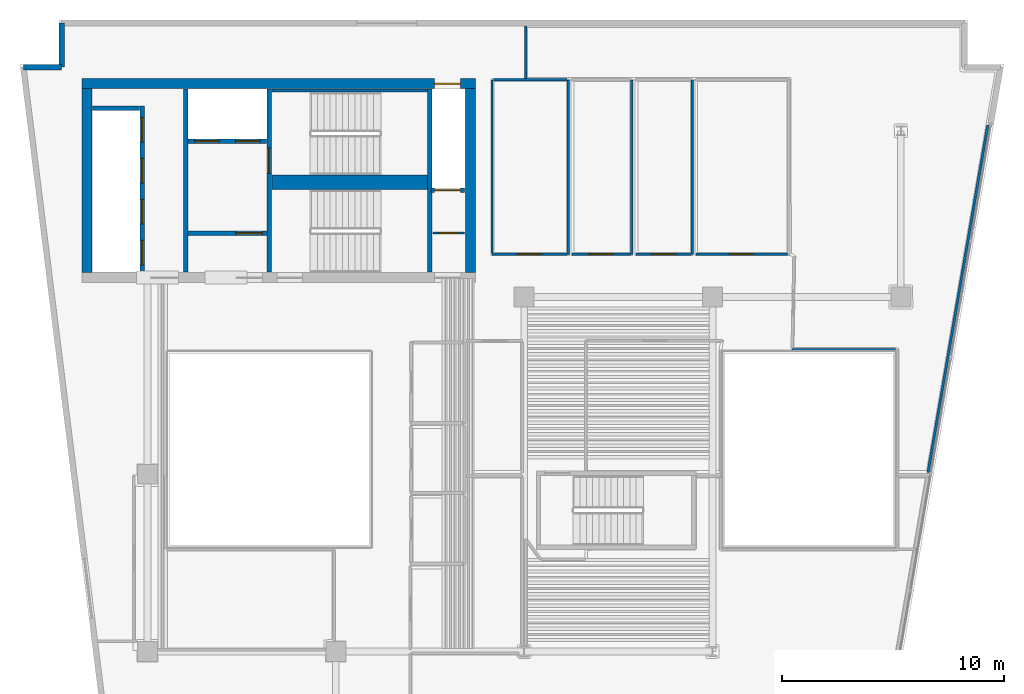
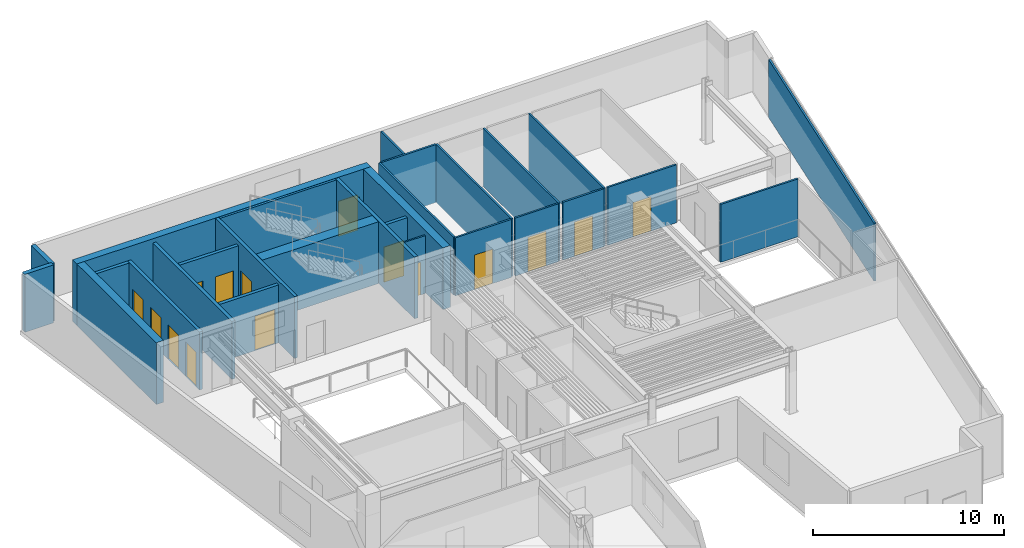
# One storey, part 5 of 10: 28 walls, 15 doors, 15 openings.
"""IFC4 building model written with IfcOpenShell, lengths in metres."""

from ifc_helpers import new_model, si_unit, direction, frame, frame_2d, origin, place, context, subcontext, project, spatial, rectangle, extrude, material, layer, layer_set, type_object, element, fill, save


model = new_model("IFC4")

# Units and contexts
model_context = context("Model", 3, precision=1e-05, world=origin(), true_north=direction((0.0, 1.0)))
body_context = subcontext(model_context, "Body", "Model", "MODEL_VIEW")
ifc_project = project(units=[si_unit("LENGTHUNIT", "METRE"), si_unit("AREAUNIT", "SQUARE_METRE"), si_unit("VOLUMEUNIT", "CUBIC_METRE"), si_unit("PLANEANGLEUNIT", "RADIAN"), si_unit("MASSUNIT", "GRAM", prefix="KILO")], contexts=[model_context])

# Site, building, storey
site_placement = place(None, origin())
site = spatial("IfcSite", under=ifc_project, at=site_placement, CompositionType="ELEMENT")
building_placement = place(site_placement, origin())
building = spatial("IfcBuilding", under=site, at=building_placement, Name="Caeloran Harvest Quay", CompositionType="ELEMENT")
storey_placement = place(building_placement, frame((0.0, 0.0, 187.699951171875)))
storey = spatial("IfcBuildingStorey", under=building, at=storey_placement, Name="L44", CompositionType="ELEMENT", Elevation=187.699951171875)

# Walls
ifc_material_1 = material(Name="Precast concrete C50/60", Category="concrete")
ifc_layer_1 = layer(ifc_material_1, 0.260009765625, Name="Precast concrete C50/60")
ifc_layer_set_1 = layer_set([ifc_layer_1], Name="Precast concrete C50/60")
wall_type_1 = type_object("IfcWallType", Name="ENV-WALL-EW-260", PredefinedType="STANDARD", material=ifc_layer_set_1)
wall_1_placement = place(storey_placement, frame((2.89599609375, 41.3701171875, 0.0), z_axis=(0.0, 0.0, 1.0), x_axis=(1.0, 0.0, 0.0)))
element("IfcWall", 1, at=wall_1_placement, inside=storey, type_object=wall_type_1, Name="L44 Exterior Precast Concrete Facade Wall 4", PredefinedType="STANDARD", context=body_context, shape_type="SweptSolid", body=[
    extrude(rectangle(XDim=1.73388671875, YDim=0.260009765625, at=frame_2d((0.866943359375, 0.0))), origin(), (0.0, 0.0, 1.0), 3.699951171875),
])
wall_2_placement = place(storey_placement, frame((4.6298828125, 41.3701171875, 0.0), z_axis=(0.0, 0.0, 1.0), x_axis=(0.0, 1.0, 0.0)))
element("IfcWall", 2, at=wall_2_placement, inside=storey, type_object=wall_type_1, Name="L44 Exterior Precast Concrete Facade Wall 5", PredefinedType="STANDARD", context=body_context, shape_type="SweptSolid", body=[
    extrude(rectangle(XDim=2.0, YDim=0.260009765625, at=frame_2d((1.0, 0.0))), origin(), (0.0, 0.0, 1.0), 3.699951171875),
])

# Wall, opening, door
ifc_material_2 = material(Name="Fire-Resisting Gypsum Core Riser Partition", Category="gypsum")
ifc_layer_2 = layer(ifc_material_2, 0.10009765625, Name="Fire-Resisting Gypsum Core Riser Partition")
ifc_layer_set_2 = layer_set([ifc_layer_2], Name="Fire-Resisting Gypsum Core Riser Partition")
wall_type_2 = type_object("IfcWallType", Name="INT-WALL-PW-100", PredefinedType="PARTITIONING", material=ifc_layer_set_2)
wall_3_placement = place(storey_placement, frame((21.3798828125, 33.889892578125, 0.0), z_axis=(0.0, 0.0, 1.0), x_axis=(1.0, 0.0, 0.0)))
wall_3 = element("IfcWall", 3, at=wall_3_placement, inside=storey, type_object=wall_type_2, Name="L44 Cleaner Store Partition Wall", PredefinedType="PARTITIONING", context=body_context, shape_type="SweptSolid", body=[
    extrude(rectangle(XDim=1.420166015625, YDim=0.10009765625, at=frame_2d((0.7099609375, 0.0))), origin(), (0.0, 0.0, 1.0), 3.699951171875),
])
opening_1_placement = place(wall_3_placement, frame((0.280029296875, 0.0, 0.0)))
opening_1 = element("IfcOpeningElement", 4, at=opening_1_placement, cuts=wall_3, Name="Opening SV-01", PredefinedType="OPENING", context=body_context, shape_type="SweptSolid", body=[
    extrude(rectangle(XDim=0.85009765625, YDim=2.10009765625, at=frame_2d((0.425048828125, 1.050048828125))), frame((0.0, 0.06005859375, 0.0), z_axis=(0.0, -1.0, 0.0), x_axis=(1.0, 0.0, 0.0)), (0.0, 0.0, 1.0), 0.1201171875),
])
ifc_material_3 = material(Name="Galvanized Painted Steel", Category="steel")
door_type_1 = type_object("IfcDoorType", Name="INTDOOR-SV-01", OperationType="NOTDEFINED", PredefinedType="DOOR", material=ifc_material_3)
door_1_placement = place(opening_1_placement, origin())
door_1 = element("IfcDoor", 5, at=door_1_placement, inside=storey, type_object=door_type_1, Name="L44 Cleaner Supply Store Access Door", OperationType="SINGLE_SWING_RIGHT", OverallHeight=2.10009765625, OverallWidth=0.85009765625, PredefinedType="DOOR", context=body_context, shape_type="SweptSolid", body=[
    extrude(rectangle(XDim=0.85009765625, YDim=2.10009765625, at=frame_2d((0.425048828125, 1.050048828125))), frame((0.0, 0.02490234375, 0.0), z_axis=(0.0, -1.0, 0.0), x_axis=(1.0, 0.0, 0.0)), (0.0, 0.0, 1.0), 0.050048828125),
])
fill(opening_1, door_1)

# Wall
ifc_material_4 = material(Name="Single-Stud Acoustic Gypsum Office Partition", Category="gypsum")
ifc_layer_3 = layer(ifc_material_4, 0.112060546875, Name="Single-Stud Acoustic Gypsum Office Partition")
ifc_layer_set_3 = layer_set([ifc_layer_3], Name="Single-Stud Acoustic Gypsum Office Partition")
wall_type_3 = type_object("IfcWallType", Name="INT-WALL-PW-112", PredefinedType="PARTITIONING", material=ifc_layer_set_3)
wall_4_placement = place(storey_placement, frame((27.5, 40.800048828125, 0.0), z_axis=(0.0, 0.0, 1.0), x_axis=(0.0, -1.0, 0.0)))
element("IfcWall", 6, at=wall_4_placement, inside=storey, type_object=wall_type_3, Name="L44 Bioinformatics Briefing Lounge Partition Wall", PredefinedType="PARTITIONING", context=body_context, shape_type="SweptSolid", body=[
    extrude(rectangle(XDim=7.880126953125, YDim=0.112060546875, at=frame_2d((3.93994140625, 0.0))), origin(), (0.0, 0.0, 1.0), 3.699951171875),
])

# Wall, opening, door
wall_5_placement = place(storey_placement, frame((27.43896484375, 32.919921875, 0.0), z_axis=(0.0, 0.0, 1.0), x_axis=(-1.0, 0.0, 0.0)))
wall_5 = element("IfcWall", 7, at=wall_5_placement, inside=storey, type_object=wall_type_3, Name="L44 Bioinformatics Briefing Lounge Partition Wall", PredefinedType="PARTITIONING", context=body_context, shape_type="SweptSolid", body=[
    extrude(rectangle(XDim=3.388916015625, YDim=0.112060546875, at=frame_2d((1.6943359375, 0.0))), origin(), (0.0, 0.0, 1.0), 3.699951171875),
])
opening_2_placement = place(wall_5_placement, frame((1.14453125, 0.0, 0.0)))
opening_2 = element("IfcOpeningElement", 8, at=opening_2_placement, cuts=wall_5, Name="Opening ID-04", PredefinedType="OPENING", context=body_context, shape_type="SweptSolid", body=[
    extrude(rectangle(XDim=1.10009765625, YDim=2.199951171875, at=frame_2d((0.550048828125, 1.10009765625))), frame((0.0, 0.06591796875, 0.0), z_axis=(0.0, -1.0, 0.0), x_axis=(1.0, 0.0, 0.0)), (0.0, 0.0, 1.0), 0.132080078125),
])
ifc_material_5 = material(Name="Acoustic Walnut Veneer Executive Door", Category="wood")
door_type_2 = type_object("IfcDoorType", Name="INTDOOR-ID-04", OperationType="NOTDEFINED", PredefinedType="DOOR", material=ifc_material_5)
door_2_placement = place(opening_2_placement, origin())
door_2 = element("IfcDoor", 9, at=door_2_placement, inside=storey, type_object=door_type_2, Name="L44 Bioinformatics Briefing Lounge Access Door", OperationType="SINGLE_SWING_LEFT", OverallHeight=2.199951171875, OverallWidth=1.10009765625, PredefinedType="DOOR", context=body_context, shape_type="SweptSolid", body=[
    extrude(rectangle(XDim=1.10009765625, YDim=2.199951171875, at=frame_2d((0.550048828125, 1.10009765625))), frame((0.0, 0.02490234375, 0.0), z_axis=(0.0, -1.0, 0.0), x_axis=(1.0, 0.0, 0.0)), (0.0, 0.0, 1.0), 0.050048828125),
])
fill(opening_2, door_2)

# Walls
wall_6_placement = place(storey_placement, frame((24.050048828125, 32.98095703125, 0.0), z_axis=(0.0, 0.0, 1.0), x_axis=(0.0, 1.0, 0.0)))
element("IfcWall", 10, at=wall_6_placement, inside=storey, type_object=wall_type_3, Name="L44 Bioinformatics Briefing Lounge Partition Wall", PredefinedType="PARTITIONING", context=body_context, shape_type="SweptSolid", body=[
    extrude(rectangle(XDim=7.819091796875, YDim=0.112060546875, at=frame_2d((3.90966796875, 0.0))), origin(), (0.0, 0.0, 1.0), 3.699951171875),
])
wall_7_placement = place(storey_placement, frame((24.111083984375, 40.800048828125, 0.0), z_axis=(0.0, 0.0, 1.0), x_axis=(1.0, 0.0, 0.0)))
element("IfcWall", 11, at=wall_7_placement, inside=storey, type_object=wall_type_3, Name="L44 Bioinformatics Briefing Lounge Partition Wall", PredefinedType="PARTITIONING", context=body_context, shape_type="SweptSolid", body=[
    extrude(rectangle(XDim=3.327880859375, YDim=0.112060546875, at=frame_2d((1.6640625, 0.0))), origin(), (0.0, 0.0, 1.0), 3.699951171875),
])
wall_8_placement = place(storey_placement, frame((30.35009765625, 40.800048828125, 0.0), z_axis=(0.0, 0.0, 1.0), x_axis=(0.0, -1.0, 0.0)))
element("IfcWall", 12, at=wall_8_placement, inside=storey, type_object=wall_type_3, Name="L44 Seed Imaging Laboratory Partition Wall", PredefinedType="PARTITIONING", context=body_context, shape_type="SweptSolid", body=[
    extrude(rectangle(XDim=7.880126953125, YDim=0.112060546875, at=frame_2d((3.93994140625, 0.0))), origin(), (0.0, 0.0, 1.0), 3.699951171875),
])

# Wall, opening, door
wall_9_placement = place(storey_placement, frame((30.2890625, 32.919921875, 0.0), z_axis=(0.0, 0.0, 1.0), x_axis=(-1.0, 0.0, 0.0)))
wall_9 = element("IfcWall", 13, at=wall_9_placement, inside=storey, type_object=wall_type_3, Name="L44 Seed Imaging Laboratory Partition Wall", PredefinedType="PARTITIONING", context=body_context, shape_type="SweptSolid", body=[
    extrude(rectangle(XDim=2.629150390625, YDim=0.112060546875, at=frame_2d((1.314453125, 0.0))), origin(), (0.0, 0.0, 1.0), 3.699951171875),
])
opening_3_placement = place(wall_9_placement, frame((0.764404296875, 0.0, 0.0)))
opening_3 = element("IfcOpeningElement", 14, at=opening_3_placement, cuts=wall_9, Name="Opening ID-04", PredefinedType="OPENING", context=body_context, shape_type="SweptSolid", body=[
    extrude(rectangle(XDim=1.10009765625, YDim=2.199951171875, at=frame_2d((0.550048828125, 1.10009765625))), frame((0.0, 0.06591796875, 0.0), z_axis=(0.0, -1.0, 0.0), x_axis=(1.0, 0.0, 0.0)), (0.0, 0.0, 1.0), 0.132080078125),
])
door_3_placement = place(opening_3_placement, origin())
door_3 = element("IfcDoor", 15, at=door_3_placement, inside=storey, type_object=door_type_2, Name="L44 Seed Imaging Laboratory Access Door", OperationType="SINGLE_SWING_RIGHT", OverallHeight=2.199951171875, OverallWidth=1.10009765625, PredefinedType="DOOR", context=body_context, shape_type="SweptSolid", body=[
    extrude(rectangle(XDim=1.10009765625, YDim=2.199951171875, at=frame_2d((0.550048828125, 1.10009765625))), frame((0.0, 0.02490234375, 0.0), z_axis=(0.0, -1.0, 0.0), x_axis=(1.0, 0.0, 0.0)), (0.0, 0.0, 1.0), 0.050048828125),
])
fill(opening_3, door_3)

# Wall
wall_10_placement = place(storey_placement, frame((33.090087890625, 40.800048828125, 0.0), z_axis=(0.0, 0.0, 1.0), x_axis=(0.0, -1.0, 0.0)))
element("IfcWall", 16, at=wall_10_placement, inside=storey, type_object=wall_type_3, Name="L44 Genomics Seminar West Room Partition Wall", PredefinedType="PARTITIONING", context=body_context, shape_type="SweptSolid", body=[
    extrude(rectangle(XDim=7.880126953125, YDim=0.112060546875, at=frame_2d((3.93994140625, 0.0))), origin(), (0.0, 0.0, 1.0), 3.699951171875),
])

# Wall, opening, door
wall_11_placement = place(storey_placement, frame((33.029052734375, 32.919921875, 0.0), z_axis=(0.0, 0.0, 1.0), x_axis=(-1.0, 0.0, 0.0)))
wall_11 = element("IfcWall", 17, at=wall_11_placement, inside=storey, type_object=wall_type_3, Name="L44 Genomics Seminar West Room Partition Wall", PredefinedType="PARTITIONING", context=body_context, shape_type="SweptSolid", body=[
    extrude(rectangle(XDim=2.47900390625, YDim=0.112060546875, at=frame_2d((1.239501953125, 0.0))), origin(), (0.0, 0.0, 1.0), 3.699951171875),
])
opening_4_placement = place(wall_11_placement, frame((0.689453125, 0.0, 0.0)))
opening_4 = element("IfcOpeningElement", 18, at=opening_4_placement, cuts=wall_11, Name="Opening ID-04", PredefinedType="OPENING", context=body_context, shape_type="SweptSolid", body=[
    extrude(rectangle(XDim=1.10009765625, YDim=2.199951171875, at=frame_2d((0.550048828125, 1.10009765625))), frame((0.0, 0.06591796875, 0.0), z_axis=(0.0, -1.0, 0.0), x_axis=(1.0, 0.0, 0.0)), (0.0, 0.0, 1.0), 0.132080078125),
])
door_4_placement = place(opening_4_placement, origin())
door_4 = element("IfcDoor", 19, at=door_4_placement, inside=storey, type_object=door_type_2, Name="L44 Genomics Seminar West Room Access Door", OperationType="SINGLE_SWING_LEFT", OverallHeight=2.199951171875, OverallWidth=1.10009765625, PredefinedType="DOOR", context=body_context, shape_type="SweptSolid", body=[
    extrude(rectangle(XDim=1.10009765625, YDim=2.199951171875, at=frame_2d((0.550048828125, 1.10009765625))), frame((0.0, 0.02490234375, 0.0), z_axis=(0.0, -1.0, 0.0), x_axis=(1.0, 0.0, 0.0)), (0.0, 0.0, 1.0), 0.050048828125),
])
fill(opening_4, door_4)

wall_12_placement = place(storey_placement, frame((37.388916015625, 32.919921875, 0.0), z_axis=(0.0, 0.0, 1.0), x_axis=(-1.0, 0.0, 0.0)))
wall_12 = element("IfcWall", 20, at=wall_12_placement, inside=storey, type_object=wall_type_3, Name="L44 Executive Archive East Studio Partition Wall", PredefinedType="PARTITIONING", context=body_context, shape_type="SweptSolid", body=[
    extrude(rectangle(XDim=4.138916015625, YDim=0.112060546875, at=frame_2d((2.0693359375, 0.0))), origin(), (0.0, 0.0, 1.0), 3.699951171875),
])
opening_5_placement = place(wall_12_placement, frame((1.51953125, 0.0, 0.0)))
opening_5 = element("IfcOpeningElement", 21, at=opening_5_placement, cuts=wall_12, Name="Opening ID-04", PredefinedType="OPENING", context=body_context, shape_type="SweptSolid", body=[
    extrude(rectangle(XDim=1.10009765625, YDim=2.199951171875, at=frame_2d((0.550048828125, 1.10009765625))), frame((0.0, 0.06591796875, 0.0), z_axis=(0.0, -1.0, 0.0), x_axis=(1.0, 0.0, 0.0)), (0.0, 0.0, 1.0), 0.132080078125),
])
door_5_placement = place(opening_5_placement, origin())
door_5 = element("IfcDoor", 22, at=door_5_placement, inside=storey, type_object=door_type_2, Name="L44 Executive Archive East Studio Access Door", OperationType="SINGLE_SWING_RIGHT", OverallHeight=2.199951171875, OverallWidth=1.10009765625, PredefinedType="DOOR", context=body_context, shape_type="SweptSolid", body=[
    extrude(rectangle(XDim=1.10009765625, YDim=2.199951171875, at=frame_2d((0.550048828125, 1.10009765625))), frame((0.0, 0.02490234375, 0.0), z_axis=(0.0, -1.0, 0.0), x_axis=(1.0, 0.0, 0.0)), (0.0, 0.0, 1.0), 0.050048828125),
])
fill(opening_5, door_5)

# Walls
wall_13_placement = place(storey_placement, frame((46.422119140625, 38.7626953125, 0.0), z_axis=(0.0, 0.0, 1.0), x_axis=(-0.169427539839, -0.985542646842, 0.0)))
element("IfcWall", 23, at=wall_13_placement, inside=storey, type_object=wall_type_3, Name="Records Archive Laboratory Partition Wall", PredefinedType="PARTITIONING", context=body_context, shape_type="SweptSolid", body=[
    extrude(rectangle(XDim=15.91259765625, YDim=0.112060546875, at=frame_2d((7.956298828125, 0.0))), origin(), (0.0, 0.0, 1.0), 3.699951171875),
])
wall_14_placement = place(storey_placement, frame((42.26904296875, 28.6298828125, 0.0), z_axis=(0.0, 0.0, 1.0), x_axis=(-1.0, 0.0, 0.0)))
element("IfcWall", 24, at=wall_14_placement, inside=storey, type_object=wall_type_3, Name="Records Archive Laboratory Partition Wall", PredefinedType="PARTITIONING", context=body_context, shape_type="SweptSolid", body=[
    extrude(rectangle(XDim=4.671142578125, YDim=0.112060546875, at=frame_2d((2.33544921875, 0.0))), origin(), (0.0, 0.0, 1.0), 3.699951171875),
])
wall_15_placement = place(storey_placement, frame((25.580078125, 40.861083984375, 0.0), z_axis=(0.0, 0.0, 1.0), x_axis=(0.0, 1.0, 0.0)))
element("IfcWall", 25, at=wall_15_placement, inside=storey, type_object=wall_type_3, Name="Records Archive Laboratory Partition Wall", PredefinedType="PARTITIONING", context=body_context, shape_type="SweptSolid", body=[
    extrude(rectangle(XDim=2.3740234375, YDim=0.112060546875, at=frame_2d((1.18701171875, 0.0))), origin(), (0.0, 0.0, 1.0), 3.699951171875),
])

# Wall, openings, doors
ifc_material_6 = material(Name="Concrete C50/60", Category="concrete")
ifc_layer_4 = layer(ifc_material_6, 0.199951171875, Name="Concrete C50/60")
ifc_layer_set_4 = layer_set([ifc_layer_4], Name="Concrete C50/60")
wall_type_4 = type_object("IfcWallType", Name="INT-WALL-SW-200", PredefinedType="PARTITIONING", material=ifc_layer_set_4)
wall_16_placement = place(storey_placement, frame((8.260009765625, 32.1201171875, 0.0), z_axis=(0.0, 0.0, 1.0), x_axis=(0.0, 1.0, 0.0)))
wall_16 = element("IfcWall", 26, at=wall_16_placement, inside=storey, type_object=wall_type_4, Name="L44 Bank 3 Lift Shaft Wall", PredefinedType="PARTITIONING", context=body_context, shape_type="SweptSolid", body=[
    extrude(rectangle(XDim=7.5, YDim=0.199951171875, at=frame_2d((3.75, 0.0))), origin(), (0.0, 0.0, 1.0), 3.699951171875),
])
opening_6_placement = place(wall_16_placement, frame((0.330078125, 0.0, 0.0)))
opening_6 = element("IfcOpeningElement", 27, at=opening_6_placement, cuts=wall_16, Name="Opening LD-01", PredefinedType="OPENING", context=body_context, shape_type="SweptSolid", body=[
    extrude(rectangle(XDim=1.10009765625, YDim=2.199951171875, at=frame_2d((0.550048828125, 1.10009765625))), frame((0.0, 0.10986328125, 0.0), z_axis=(0.0, -1.0, 0.0), x_axis=(1.0, 0.0, 0.0)), (0.0, 0.0, 1.0), 0.219970703125),
])
opening_7_placement = place(wall_16_placement, frame((2.179931640625, 0.0, 0.0)))
opening_7 = element("IfcOpeningElement", 28, at=opening_7_placement, cuts=wall_16, Name="Opening LD-01", PredefinedType="OPENING", context=body_context, shape_type="SweptSolid", body=[
    extrude(rectangle(XDim=1.10009765625, YDim=2.199951171875, at=frame_2d((0.550048828125, 1.10009765625))), frame((0.0, 0.10986328125, 0.0), z_axis=(0.0, -1.0, 0.0), x_axis=(1.0, 0.0, 0.0)), (0.0, 0.0, 1.0), 0.219970703125),
])
opening_8_placement = place(wall_16_placement, frame((4.030029296875, 0.0, 0.0)))
opening_8 = element("IfcOpeningElement", 29, at=opening_8_placement, cuts=wall_16, Name="Opening LD-01", PredefinedType="OPENING", context=body_context, shape_type="SweptSolid", body=[
    extrude(rectangle(XDim=1.10009765625, YDim=2.199951171875, at=frame_2d((0.550048828125, 1.10009765625))), frame((0.0, 0.10986328125, 0.0), z_axis=(0.0, -1.0, 0.0), x_axis=(1.0, 0.0, 0.0)), (0.0, 0.0, 1.0), 0.219970703125),
])
opening_9_placement = place(wall_16_placement, frame((5.8798828125, 0.0, 0.0)))
opening_9 = element("IfcOpeningElement", 30, at=opening_9_placement, cuts=wall_16, Name="Opening LD-01", PredefinedType="OPENING", context=body_context, shape_type="SweptSolid", body=[
    extrude(rectangle(XDim=1.10009765625, YDim=2.199951171875, at=frame_2d((0.550048828125, 1.10009765625))), frame((0.0, 0.10986328125, 0.0), z_axis=(0.0, -1.0, 0.0), x_axis=(1.0, 0.0, 0.0)), (0.0, 0.0, 1.0), 0.219970703125),
])
ifc_material_7 = material(Name="Stainless Steel Grade 316", Category="steel")
door_type_3 = type_object("IfcDoorType", Name="INTDOOR-LD-01", OperationType="NOTDEFINED", PredefinedType="DOOR", material=ifc_material_7)
door_6_placement = place(opening_6_placement, origin())
door_6 = element("IfcDoor", 31, at=door_6_placement, inside=storey, type_object=door_type_3, Name="Lift P3-1 Sliding Landing Door (L44)", OperationType="DOUBLE_DOOR_SLIDING", OverallHeight=2.199951171875, OverallWidth=1.10009765625, PredefinedType="DOOR", context=body_context, shape_type="SweptSolid", body=[
    extrude(rectangle(XDim=1.10009765625, YDim=2.199951171875, at=frame_2d((0.550048828125, 1.10009765625))), frame((0.0, 0.02490234375, 0.0), z_axis=(0.0, -1.0, 0.0), x_axis=(1.0, 0.0, 0.0)), (0.0, 0.0, 1.0), 0.050048828125),
])
fill(opening_6, door_6)
door_7_placement = place(opening_7_placement, origin())
door_7 = element("IfcDoor", 32, at=door_7_placement, inside=storey, type_object=door_type_3, Name="Lift P3-2 Sliding Landing Door (L44)", OperationType="DOUBLE_DOOR_SLIDING", OverallHeight=2.199951171875, OverallWidth=1.10009765625, PredefinedType="DOOR", context=body_context, shape_type="SweptSolid", body=[
    extrude(rectangle(XDim=1.10009765625, YDim=2.199951171875, at=frame_2d((0.550048828125, 1.10009765625))), frame((0.0, 0.02490234375, 0.0), z_axis=(0.0, -1.0, 0.0), x_axis=(1.0, 0.0, 0.0)), (0.0, 0.0, 1.0), 0.050048828125),
])
fill(opening_7, door_7)
door_8_placement = place(opening_8_placement, origin())
door_8 = element("IfcDoor", 33, at=door_8_placement, inside=storey, type_object=door_type_3, Name="Lift P3-3 Sliding Landing Door (L44)", OperationType="DOUBLE_DOOR_SLIDING", OverallHeight=2.199951171875, OverallWidth=1.10009765625, PredefinedType="DOOR", context=body_context, shape_type="SweptSolid", body=[
    extrude(rectangle(XDim=1.10009765625, YDim=2.199951171875, at=frame_2d((0.550048828125, 1.10009765625))), frame((0.0, 0.02490234375, 0.0), z_axis=(0.0, -1.0, 0.0), x_axis=(1.0, 0.0, 0.0)), (0.0, 0.0, 1.0), 0.050048828125),
])
fill(opening_8, door_8)
door_9_placement = place(opening_9_placement, origin())
door_9 = element("IfcDoor", 34, at=door_9_placement, inside=storey, type_object=door_type_3, Name="Lift P3-4 Sliding Landing Door (L44)", OperationType="DOUBLE_DOOR_SLIDING", OverallHeight=2.199951171875, OverallWidth=1.10009765625, PredefinedType="DOOR", context=body_context, shape_type="SweptSolid", body=[
    extrude(rectangle(XDim=1.10009765625, YDim=2.199951171875, at=frame_2d((0.550048828125, 1.10009765625))), frame((0.0, 0.02490234375, 0.0), z_axis=(0.0, -1.0, 0.0), x_axis=(1.0, 0.0, 0.0)), (0.0, 0.0, 1.0), 0.050048828125),
])
fill(opening_9, door_9)

# Walls
wall_17_placement = place(storey_placement, frame((6.02001953125, 39.52001953125, 0.0), z_axis=(0.0, 0.0, 1.0), x_axis=(1.0, 0.0, 0.0)))
element("IfcWall", 35, at=wall_17_placement, inside=storey, type_object=wall_type_4, Name="L44 Bank 3 Lift Shaft North End Wall", PredefinedType="PARTITIONING", context=body_context, shape_type="SweptSolid", body=[
    extrude(rectangle(XDim=2.119873046875, YDim=0.199951171875, at=frame_2d((1.06005859375, 0.0))), origin(), (0.0, 0.0, 1.0), 3.699951171875),
])
wall_18_placement = place(storey_placement, frame((10.219970703125, 32.1201171875, 0.0), z_axis=(0.0, 0.0, 1.0), x_axis=(0.0, 1.0, 0.0)))
element("IfcWall", 36, at=wall_18_placement, inside=storey, type_object=wall_type_4, Name="L44 Core Lobby Compartment Wall", PredefinedType="PARTITIONING", context=body_context, shape_type="SweptSolid", body=[
    extrude(rectangle(XDim=8.259765625, YDim=0.199951171875, at=frame_2d((4.1298828125, 0.0))), origin(), (0.0, 0.0, 1.0), 3.699951171875),
])

# Wall, openings, doors
wall_19_placement = place(storey_placement, frame((10.340087890625, 38.02001953125, 0.0), z_axis=(0.0, 0.0, 1.0), x_axis=(1.0, 0.0, 0.0)))
wall_19 = element("IfcWall", 37, at=wall_19_placement, inside=storey, type_object=wall_type_4, Name="L44 Firefighting Lift Shaft Wall", PredefinedType="PARTITIONING", context=body_context, shape_type="SweptSolid", body=[
    extrude(rectangle(XDim=3.539794921875, YDim=0.199951171875, at=frame_2d((1.77001953125, 0.0))), origin(), (0.0, 0.0, 1.0), 3.699951171875),
])
opening_10_placement = place(wall_19_placement, frame((0.284912109375, 0.0, 0.0)))
opening_10 = element("IfcOpeningElement", 38, at=opening_10_placement, cuts=wall_19, Name="Opening LD-01", PredefinedType="OPENING", context=body_context, shape_type="SweptSolid", body=[
    extrude(rectangle(XDim=1.10009765625, YDim=2.199951171875, at=frame_2d((0.550048828125, 1.10009765625))), frame((0.0, 0.10986328125, 0.0), z_axis=(0.0, -1.0, 0.0), x_axis=(1.0, 0.0, 0.0)), (0.0, 0.0, 1.0), 0.219970703125),
])
opening_11_placement = place(wall_19_placement, frame((2.135009765625, 0.0, 0.0)))
opening_11 = element("IfcOpeningElement", 39, at=opening_11_placement, cuts=wall_19, Name="Opening LD-01", PredefinedType="OPENING", context=body_context, shape_type="SweptSolid", body=[
    extrude(rectangle(XDim=1.10009765625, YDim=2.199951171875, at=frame_2d((0.550048828125, 1.10009765625))), frame((0.0, 0.10986328125, 0.0), z_axis=(0.0, -1.0, 0.0), x_axis=(1.0, 0.0, 0.0)), (0.0, 0.0, 1.0), 0.219970703125),
])
door_10_placement = place(opening_10_placement, origin())
door_10 = element("IfcDoor", 40, at=door_10_placement, inside=storey, type_object=door_type_3, Name="Lift FF-1 Sliding Landing Door (L44)", OperationType="DOUBLE_DOOR_SLIDING", OverallHeight=2.199951171875, OverallWidth=1.10009765625, PredefinedType="DOOR", context=body_context, shape_type="SweptSolid", body=[
    extrude(rectangle(XDim=1.10009765625, YDim=2.199951171875, at=frame_2d((0.550048828125, 1.10009765625))), frame((0.0, 0.02490234375, 0.0), z_axis=(0.0, -1.0, 0.0), x_axis=(1.0, 0.0, 0.0)), (0.0, 0.0, 1.0), 0.050048828125),
])
fill(opening_10, door_10)
door_11_placement = place(opening_11_placement, origin())
door_11 = element("IfcDoor", 41, at=door_11_placement, inside=storey, type_object=door_type_3, Name="Lift FF-2 Sliding Landing Door (L44)", OperationType="DOUBLE_DOOR_SLIDING", OverallHeight=2.199951171875, OverallWidth=1.10009765625, PredefinedType="DOOR", context=body_context, shape_type="SweptSolid", body=[
    extrude(rectangle(XDim=1.10009765625, YDim=2.199951171875, at=frame_2d((0.550048828125, 1.10009765625))), frame((0.0, 0.02490234375, 0.0), z_axis=(0.0, -1.0, 0.0), x_axis=(1.0, 0.0, 0.0)), (0.0, 0.0, 1.0), 0.050048828125),
])
fill(opening_11, door_11)

# Wall, opening, door
wall_20_placement = place(storey_placement, frame((10.340087890625, 33.8798828125, 0.0), z_axis=(0.0, 0.0, 1.0), x_axis=(1.0, 0.0, 0.0)))
wall_20 = element("IfcWall", 42, at=wall_20_placement, inside=storey, type_object=wall_type_4, Name="L44 Firefighting Lift Lobby Enclosure Wall", PredefinedType="PARTITIONING", context=body_context, shape_type="SweptSolid", body=[
    extrude(rectangle(XDim=3.559814453125, YDim=0.199951171875, at=frame_2d((1.77978515625, 0.0))), origin(), (0.0, 0.0, 1.0), 3.699951171875),
])
opening_12_placement = place(wall_20_placement, frame((2.14990234375, 0.0, 0.0)))
opening_12 = element("IfcOpeningElement", 43, at=opening_12_placement, cuts=wall_20, Name="Opening FD-01", PredefinedType="OPENING", context=body_context, shape_type="SweptSolid", body=[
    extrude(rectangle(XDim=1.199951171875, YDim=2.199951171875, at=frame_2d((0.60009765625, 1.10009765625))), frame((0.0, 0.10986328125, 0.0), z_axis=(0.0, -1.0, 0.0), x_axis=(1.0, 0.0, 0.0)), (0.0, 0.0, 1.0), 0.219970703125),
])
ifc_material_8 = material(Name="Steel", Category="steel")
door_type_4 = type_object("IfcDoorType", Name="INTDOOR-FD-01", OperationType="NOTDEFINED", PredefinedType="DOOR", material=ifc_material_8)
door_12_placement = place(opening_12_placement, origin())
door_12 = element("IfcDoor", 44, at=door_12_placement, inside=storey, type_object=door_type_4, Name="L44 Firefighting Lift Lobby Smoke-Seal Fire Door", OperationType="SINGLE_SWING_LEFT", OverallHeight=2.199951171875, OverallWidth=1.199951171875, PredefinedType="DOOR", context=body_context, shape_type="SweptSolid", body=[
    extrude(rectangle(XDim=1.199951171875, YDim=2.199951171875, at=frame_2d((0.60009765625, 1.10009765625))), frame((0.0, 0.02490234375, 0.0), z_axis=(0.0, -1.0, 0.0), x_axis=(1.0, 0.0, 0.0)), (0.0, 0.0, 1.0), 0.050048828125),
])
fill(opening_12, door_12)

wall_21_placement = place(storey_placement, frame((21.300048828125, 35.820068359375, 0.0), z_axis=(0.0, 0.0, 1.0), x_axis=(1.0, 0.0, 0.0)))
wall_21 = element("IfcWall", 45, at=wall_21_placement, inside=storey, type_object=wall_type_4, Name="L44 Service Lift SV-2 Shaft Wall", PredefinedType="PARTITIONING", context=body_context, shape_type="SweptSolid", body=[
    extrude(rectangle(XDim=1.5, YDim=0.199951171875, at=frame_2d((0.75, 0.0))), origin(), (0.0, 0.0, 1.0), 3.699951171875),
])
opening_13_placement = place(wall_21_placement, frame((0.14501953125, 0.0, 0.0)))
opening_13 = element("IfcOpeningElement", 46, at=opening_13_placement, cuts=wall_21, Name="Opening LD-02", PredefinedType="OPENING", context=body_context, shape_type="SweptSolid", body=[
    extrude(rectangle(XDim=1.179931640625, YDim=2.25, at=frame_2d((0.58984375, 1.125))), frame((0.0, 0.10986328125, 0.0), z_axis=(0.0, -1.0, 0.0), x_axis=(1.0, 0.0, 0.0)), (0.0, 0.0, 1.0), 0.219970703125),
])
door_type_5 = type_object("IfcDoorType", Name="INTDOOR-LD-02", OperationType="NOTDEFINED", PredefinedType="DOOR", material=ifc_material_7)
door_13_placement = place(opening_13_placement, origin())
door_13 = element("IfcDoor", 47, at=door_13_placement, inside=storey, type_object=door_type_5, Name="Lift SV-2 Sliding Landing Door (L44)", OperationType="DOUBLE_DOOR_SLIDING", OverallHeight=2.25, OverallWidth=1.179931640625, PredefinedType="DOOR", context=body_context, shape_type="SweptSolid", body=[
    extrude(rectangle(XDim=1.179931640625, YDim=2.25, at=frame_2d((0.58984375, 1.125))), frame((0.0, 0.02490234375, 0.0), z_axis=(0.0, -1.0, 0.0), x_axis=(1.0, 0.0, 0.0)), (0.0, 0.0, 1.0), 0.050048828125),
])
fill(opening_13, door_13)

ifc_material_9 = material(Name="Concrete C60/75", Category="concrete")
ifc_layer_5 = layer(ifc_material_9, 0.449951171875, Name="Concrete C60/75")
ifc_layer_set_5 = layer_set([ifc_layer_5], Name="Concrete C60/75")
wall_type_5 = type_object("IfcWallType", Name="STR-WALL-CW-450", PredefinedType="SHEAR", material=ifc_layer_set_5)
wall_22_placement = place(storey_placement, frame((5.550048828125, 40.625, 0.0), z_axis=(0.0, 0.0, 1.0), x_axis=(1.0, 0.0, 0.0)))
wall_22 = element("IfcWall", 48, at=wall_22_placement, inside=storey, type_object=wall_type_5, Name="L44 Rear Core Shear Wall N", PredefinedType="SHEAR", context=body_context, shape_type="SweptSolid", body=[
    extrude(rectangle(XDim=17.75, YDim=0.449951171875, at=frame_2d((8.875, 0.0))), origin(), (0.0, 0.0, 1.0), 3.949951171875),
])
opening_14_placement = place(wall_22_placement, frame((15.89501953125, 0.0, 0.0)))
opening_14 = element("IfcOpeningElement", 49, at=opening_14_placement, cuts=wall_22, Name="Opening LD-02", PredefinedType="OPENING", context=body_context, shape_type="SweptSolid", body=[
    extrude(rectangle(XDim=1.179931640625, YDim=2.25, at=frame_2d((0.58984375, 1.125))), frame((0.0, 0.23486328125, 0.0), z_axis=(0.0, -1.0, 0.0), x_axis=(1.0, 0.0, 0.0)), (0.0, 0.0, 1.0), 0.469970703125),
])
door_14_placement = place(opening_14_placement, origin())
door_14 = element("IfcDoor", 50, at=door_14_placement, inside=storey, type_object=door_type_5, Name="Lift SV-1 Sliding Landing Door (L44)", OperationType="DOUBLE_DOOR_SLIDING", OverallHeight=2.25, OverallWidth=1.179931640625, PredefinedType="DOOR", context=body_context, shape_type="SweptSolid", body=[
    extrude(rectangle(XDim=1.179931640625, YDim=2.25, at=frame_2d((0.58984375, 1.125))), frame((0.0, 0.02490234375, 0.0), z_axis=(0.0, -1.0, 0.0), x_axis=(1.0, 0.0, 0.0)), (0.0, 0.0, 1.0), 0.050048828125),
])
fill(opening_14, door_14)

# Walls
for number, where, z_axis, x_axis, name in (
    (51, (5.77490234375, 32.10009765625, 0.0), (0.0, 0.0, 1.0), (0.0, 1.0, 0.0), "L44 Rear Core Shear Wall W"),
    (52, (23.074951171875, 32.10009765625, 0.0), (0.0, 0.0, 1.0), (0.0, 1.0, 0.0), "L44 Rear Core Shear Wall E"),
):
    element("IfcWall", number, at=place(storey_placement, frame(where, z_axis=z_axis, x_axis=x_axis)), inside=storey, type_object=wall_type_5, Name=name, PredefinedType="SHEAR", context=body_context, shape_type="SweptSolid", body=[
        extrude(rectangle(XDim=8.2998046875, YDim=0.449951171875, at=frame_2d((4.14990234375, 0.0))), origin(), (0.0, 0.0, 1.0), 3.949951171875),
    ])
ifc_layer_6 = layer(ifc_material_9, 0.64990234375, Name="Concrete C60/75")
ifc_layer_set_6 = layer_set([ifc_layer_6], Name="Concrete C60/75")
wall_type_6 = type_object("IfcWallType", Name="STR-WALL-CW-650", PredefinedType="SHEAR", material=ifc_layer_set_6)
wall_23_placement = place(storey_placement, frame((14.1201171875, 36.175048828125, 0.0), z_axis=(0.0, 0.0, 1.0), x_axis=(1.0, 0.0, 0.0)))
element("IfcWall", 53, at=wall_23_placement, inside=storey, type_object=wall_type_6, Name="L44 Core Stairs Dividing Shear Wall", PredefinedType="SHEAR", context=body_context, shape_type="SweptSolid", body=[
    extrude(rectangle(XDim=7.009765625, YDim=0.64990234375, at=frame_2d((3.5048828125, 0.0))), origin(), (0.0, 0.0, 1.0), 3.949951171875),
])
ifc_layer_7 = layer(ifc_material_9, 0.139892578125, Name="Concrete C60/75")
ifc_layer_set_7 = layer_set([ifc_layer_7], Name="Concrete C60/75")
wall_type_7 = type_object("IfcWallType", Name="STR-WALL-SW-140", PredefinedType="SHEAR", material=ifc_layer_set_7)
wall_24_placement = place(storey_placement, frame((14.1201171875, 40.320068359375, 0.0), z_axis=(0.0, 0.0, 1.0), x_axis=(1.0, 0.0, 0.0)))
element("IfcWall", 54, at=wall_24_placement, inside=storey, type_object=wall_type_7, Name="L44 Core Stair ST-C1 North Bearing Shear Wall", PredefinedType="SHEAR", context=body_context, shape_type="SweptSolid", body=[
    extrude(rectangle(XDim=7.009765625, YDim=0.139892578125, at=frame_2d((3.5048828125, 0.0))), origin(), (0.0, 0.0, 1.0), 3.949951171875),
])

# Wall, opening, door
ifc_layer_8 = layer(ifc_material_9, 0.199951171875, Name="Concrete C60/75")
ifc_layer_set_8 = layer_set([ifc_layer_8], Name="Concrete C60/75")
wall_type_8 = type_object("IfcWallType", Name="STR-WALL-SW-200", PredefinedType="SHEAR", material=ifc_layer_set_8)
wall_25_placement = place(storey_placement, frame((14.0, 32.1201171875, 0.0), z_axis=(0.0, 0.0, 1.0), x_axis=(0.0, 1.0, 0.0)))
wall_25 = element("IfcWall", 55, at=wall_25_placement, inside=storey, type_object=wall_type_8, Name="L44 Core Stair Shaft West Shear Wall", PredefinedType="SHEAR", context=body_context, shape_type="SweptSolid", body=[
    extrude(rectangle(XDim=8.259765625, YDim=0.199951171875, at=frame_2d((4.1298828125, 0.0))), origin(), (0.0, 0.0, 1.0), 3.949951171875),
])
opening_15_placement = place(wall_25_placement, frame((4.4599609375, 0.0, 0.0)))
opening_15 = element("IfcOpeningElement", 56, at=opening_15_placement, cuts=wall_25, Name="Opening SD-01", PredefinedType="OPENING", context=body_context, shape_type="SweptSolid", body=[
    extrude(rectangle(XDim=1.14990234375, YDim=2.199951171875, at=frame_2d((0.574951171875, 1.10009765625))), frame((0.0, 0.10986328125, 0.0), z_axis=(0.0, -1.0, 0.0), x_axis=(1.0, 0.0, 0.0)), (0.0, 0.0, 1.0), 0.219970703125),
])
door_type_6 = type_object("IfcDoorType", Name="INTDOOR-SD-01", OperationType="NOTDEFINED", PredefinedType="DOOR", material=ifc_material_8)
door_15_placement = place(opening_15_placement, origin())
door_15 = element("IfcDoor", 57, at=door_15_placement, inside=storey, type_object=door_type_6, Name="L44 Protected Stair ST-C1 Exit Door", OperationType="SINGLE_SWING_LEFT", OverallHeight=2.199951171875, OverallWidth=1.14990234375, PredefinedType="DOOR", context=body_context, shape_type="SweptSolid", body=[
    extrude(rectangle(XDim=1.14990234375, YDim=2.199951171875, at=frame_2d((0.574951171875, 1.10009765625))), frame((0.0, 0.02490234375, 0.0), z_axis=(0.0, -1.0, 0.0), x_axis=(1.0, 0.0, 0.0)), (0.0, 0.0, 1.0), 0.050048828125),
])
fill(opening_15, door_15)

# Wall
wall_26_placement = place(storey_placement, frame((21.25, 32.1201171875, 0.0), z_axis=(0.0, 0.0, 1.0), x_axis=(0.0, 1.0, 0.0)))
element("IfcWall", 58, at=wall_26_placement, inside=storey, type_object=wall_type_8, Name="L44 Core Stair Shaft East Shear Wall", PredefinedType="SHEAR", context=body_context, shape_type="SweptSolid", body=[
    extrude(rectangle(XDim=8.259765625, YDim=0.199951171875, at=frame_2d((4.1298828125, 0.0))), origin(), (0.0, 0.0, 1.0), 3.949951171875),
])

save(model, "model.ifc")
